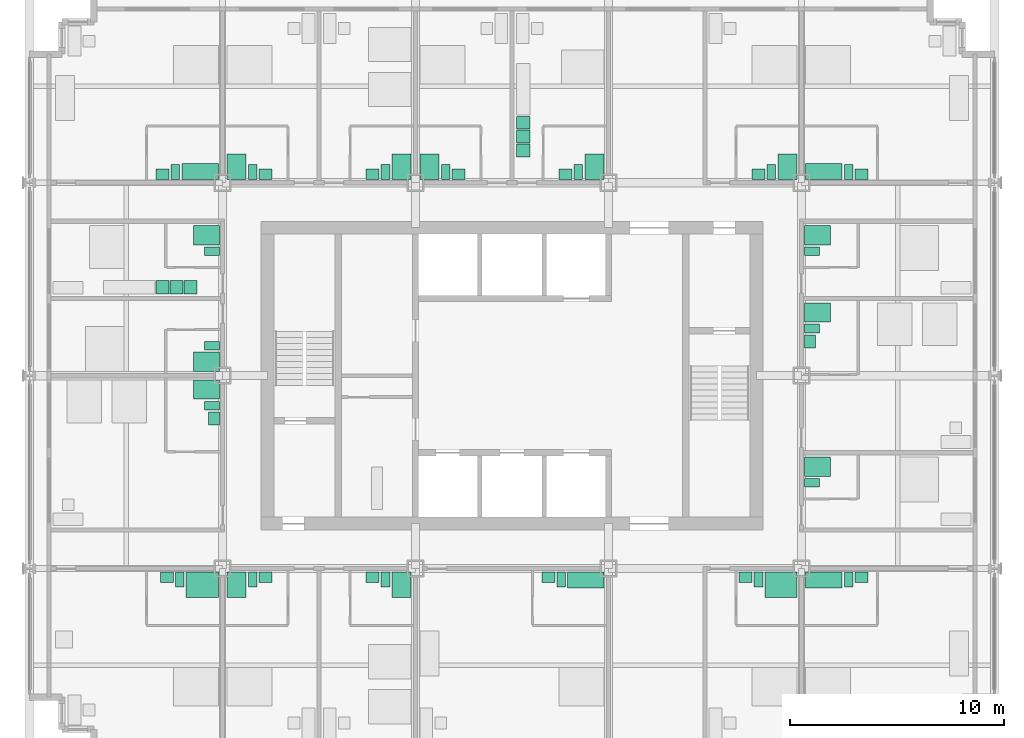
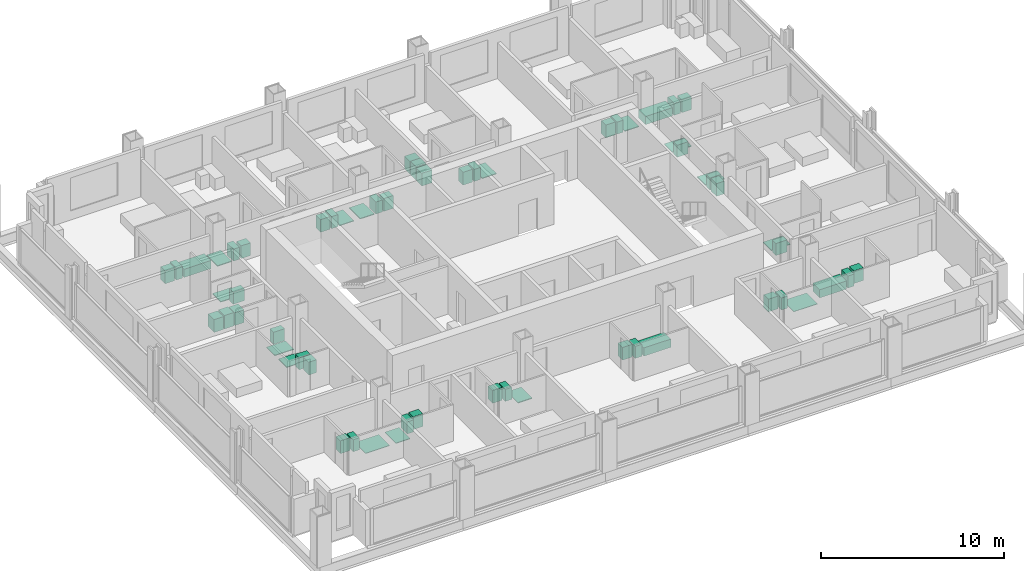
# One storey, part 16 of 17: 53 sanitary terminals, 6 electric appliances.
"""IFC4 building model written with IfcOpenShell, lengths in metres."""

from ifc_helpers import new_model, si_unit, direction, frame, origin, origin_2d, place, context, subcontext, project, spatial, rectangle, extrude, element, save


model = new_model("IFC4")

# Units and contexts
model_context = context("Model", 3, precision=1e-05, world=origin(), true_north=direction((0.0, 1.0)))
body_context = subcontext(model_context, "Body", "Model", "MODEL_VIEW")
ifc_project = project(units=[si_unit("LENGTHUNIT", "METRE"), si_unit("AREAUNIT", "SQUARE_METRE"), si_unit("VOLUMEUNIT", "CUBIC_METRE"), si_unit("PLANEANGLEUNIT", "RADIAN"), si_unit("MASSUNIT", "GRAM", prefix="KILO")], contexts=[model_context])

# Site, building, storey
site_placement = place(None, origin())
site = spatial("IfcSite", under=ifc_project, at=site_placement, CompositionType="ELEMENT")
building_placement = place(site_placement, origin())
building = spatial("IfcBuilding", under=site, at=building_placement, Name="Loomwork Tower", CompositionType="ELEMENT")
storey_placement = place(building_placement, frame((0.0, 0.0, 145.199951171875)))
storey = spatial("IfcBuildingStorey", under=building, at=storey_placement, Name="L39", CompositionType="ELEMENT", Elevation=145.199951171875)

# Sanitary terminals
sanitary_terminal_1_placement = place(storey_placement, frame((8.050048828125, 8.25, 0.0), z_axis=(0.0, 0.0, 1.0), x_axis=(1.0, 0.0, 0.0)))
element("IfcSanitaryTerminal", 1, at=sanitary_terminal_1_placement, inside=storey, Name="Roll-in shower floor L39", PredefinedType="SHOWER", context=body_context, shape_type="SweptSolid", body=[
    extrude(rectangle(XDim=1.5, YDim=1.199951171875, at=origin_2d()), origin(), (0.0, 0.0, 1.0), 0.030029296875),
])
sanitary_terminal_2_placement = place(storey_placement, frame((7.0, 8.5, 0.0), z_axis=(0.0, 0.0, 1.0), x_axis=(1.0, 0.0, 0.0)))
element("IfcSanitaryTerminal", 2, at=sanitary_terminal_2_placement, inside=storey, Name="WC L39", PredefinedType="TOILETPAN", context=body_context, shape_type="SweptSolid", body=[
    extrude(rectangle(XDim=0.39990234375, YDim=0.699951171875, at=origin_2d()), origin(), (0.0, 0.0, 1.0), 0.800048828125),
])
sanitary_terminal_3_placement = place(storey_placement, frame((6.39990234375, 8.60009765625, 0.0), z_axis=(0.0, 0.0, 1.0), x_axis=(1.0, 0.0, 0.0)))
element("IfcSanitaryTerminal", 3, at=sanitary_terminal_3_placement, inside=storey, Name="Basin vanity L39", PredefinedType="WASHHANDBASIN", context=body_context, shape_type="SweptSolid", body=[
    extrude(rectangle(XDim=0.60009765625, YDim=0.5, at=origin_2d()), origin(), (0.0, 0.0, 1.0), 0.85009765625),
])
sanitary_terminal_4_placement = place(storey_placement, frame((9.64990234375, 8.25, 0.0), z_axis=(0.0, 0.0, 1.0), x_axis=(1.0, 0.0, 0.0)))
element("IfcSanitaryTerminal", 4, at=sanitary_terminal_4_placement, inside=storey, Name="Shower tray L39", PredefinedType="SHOWER", context=body_context, shape_type="SweptSolid", body=[
    extrude(rectangle(XDim=0.89990234375, YDim=1.199951171875, at=origin_2d()), origin(), (0.0, 0.0, 1.0), 0.050048828125),
])
sanitary_terminal_5_placement = place(storey_placement, frame((10.39990234375, 8.5, 0.0), z_axis=(0.0, 0.0, 1.0), x_axis=(1.0, 0.0, 0.0)))
element("IfcSanitaryTerminal", 5, at=sanitary_terminal_5_placement, inside=storey, Name="WC L39", PredefinedType="TOILETPAN", context=body_context, shape_type="SweptSolid", body=[
    extrude(rectangle(XDim=0.39990234375, YDim=0.699951171875, at=origin_2d()), origin(), (0.0, 0.0, 1.0), 0.800048828125),
])
sanitary_terminal_6_placement = place(storey_placement, frame((11.0, 8.60009765625, 0.0), z_axis=(0.0, 0.0, 1.0), x_axis=(1.0, 0.0, 0.0)))
element("IfcSanitaryTerminal", 6, at=sanitary_terminal_6_placement, inside=storey, Name="Basin vanity L39", PredefinedType="WASHHANDBASIN", context=body_context, shape_type="SweptSolid", body=[
    extrude(rectangle(XDim=0.60009765625, YDim=0.5, at=origin_2d()), origin(), (0.0, 0.0, 1.0), 0.85009765625),
])
sanitary_terminal_7_placement = place(storey_placement, frame((17.35009765625, 8.25, 0.0), z_axis=(0.0, 0.0, 1.0), x_axis=(1.0, 0.0, 0.0)))
element("IfcSanitaryTerminal", 7, at=sanitary_terminal_7_placement, inside=storey, Name="Shower tray L39", PredefinedType="SHOWER", context=body_context, shape_type="SweptSolid", body=[
    extrude(rectangle(XDim=0.89990234375, YDim=1.199951171875, at=origin_2d()), origin(), (0.0, 0.0, 1.0), 0.050048828125),
])
sanitary_terminal_8_placement = place(storey_placement, frame((16.60009765625, 8.5, 0.0), z_axis=(0.0, 0.0, 1.0), x_axis=(1.0, 0.0, 0.0)))
element("IfcSanitaryTerminal", 8, at=sanitary_terminal_8_placement, inside=storey, Name="WC L39", PredefinedType="TOILETPAN", context=body_context, shape_type="SweptSolid", body=[
    extrude(rectangle(XDim=0.39990234375, YDim=0.699951171875, at=origin_2d()), origin(), (0.0, 0.0, 1.0), 0.800048828125),
])
sanitary_terminal_9_placement = place(storey_placement, frame((16.0, 8.60009765625, 0.0), z_axis=(0.0, 0.0, 1.0), x_axis=(1.0, 0.0, 0.0)))
element("IfcSanitaryTerminal", 9, at=sanitary_terminal_9_placement, inside=storey, Name="Basin vanity L39", PredefinedType="WASHHANDBASIN", context=body_context, shape_type="SweptSolid", body=[
    extrude(rectangle(XDim=0.60009765625, YDim=0.5, at=origin_2d()), origin(), (0.0, 0.0, 1.0), 0.85009765625),
])
sanitary_terminal_10_placement = place(storey_placement, frame((25.949951171875, 8.47509765625, 0.0), z_axis=(0.0, 0.0, 1.0), x_axis=(1.0, 0.0, 0.0)))
element("IfcSanitaryTerminal", 10, at=sanitary_terminal_10_placement, inside=storey, Name="Bath L39", PredefinedType="BATH", context=body_context, shape_type="SweptSolid", body=[
    extrude(rectangle(XDim=1.699951171875, YDim=0.75, at=origin_2d()), origin(), (0.0, 0.0, 1.0), 0.550048828125),
])
sanitary_terminal_11_placement = place(storey_placement, frame((24.800048828125, 8.5, 0.0), z_axis=(0.0, 0.0, 1.0), x_axis=(1.0, 0.0, 0.0)))
element("IfcSanitaryTerminal", 11, at=sanitary_terminal_11_placement, inside=storey, Name="WC L39", PredefinedType="TOILETPAN", context=body_context, shape_type="SweptSolid", body=[
    extrude(rectangle(XDim=0.39990234375, YDim=0.699951171875, at=origin_2d()), origin(), (0.0, 0.0, 1.0), 0.800048828125),
])
sanitary_terminal_12_placement = place(storey_placement, frame((24.199951171875, 8.60009765625, 0.0), z_axis=(0.0, 0.0, 1.0), x_axis=(1.0, 0.0, 0.0)))
element("IfcSanitaryTerminal", 12, at=sanitary_terminal_12_placement, inside=storey, Name="Basin vanity L39", PredefinedType="WASHHANDBASIN", context=body_context, shape_type="SweptSolid", body=[
    extrude(rectangle(XDim=0.60009765625, YDim=0.5, at=origin_2d()), origin(), (0.0, 0.0, 1.0), 0.85009765625),
])
sanitary_terminal_13_placement = place(storey_placement, frame((35.050048828125, 8.25, 0.0), z_axis=(0.0, 0.0, 1.0), x_axis=(1.0, 0.0, 0.0)))
element("IfcSanitaryTerminal", 13, at=sanitary_terminal_13_placement, inside=storey, Name="Roll-in shower floor L39", PredefinedType="SHOWER", context=body_context, shape_type="SweptSolid", body=[
    extrude(rectangle(XDim=1.5, YDim=1.199951171875, at=origin_2d()), origin(), (0.0, 0.0, 1.0), 0.030029296875),
])
sanitary_terminal_14_placement = place(storey_placement, frame((34.0, 8.5, 0.0), z_axis=(0.0, 0.0, 1.0), x_axis=(1.0, 0.0, 0.0)))
element("IfcSanitaryTerminal", 14, at=sanitary_terminal_14_placement, inside=storey, Name="WC L39", PredefinedType="TOILETPAN", context=body_context, shape_type="SweptSolid", body=[
    extrude(rectangle(XDim=0.39990234375, YDim=0.699951171875, at=origin_2d()), origin(), (0.0, 0.0, 1.0), 0.800048828125),
])
sanitary_terminal_15_placement = place(storey_placement, frame((33.39990234375, 8.60009765625, 0.0), z_axis=(0.0, 0.0, 1.0), x_axis=(1.0, 0.0, 0.0)))
element("IfcSanitaryTerminal", 15, at=sanitary_terminal_15_placement, inside=storey, Name="Basin vanity L39", PredefinedType="WASHHANDBASIN", context=body_context, shape_type="SweptSolid", body=[
    extrude(rectangle(XDim=0.60009765625, YDim=0.5, at=origin_2d()), origin(), (0.0, 0.0, 1.0), 0.85009765625),
])
sanitary_terminal_16_placement = place(storey_placement, frame((37.050048828125, 8.47509765625, 0.0), z_axis=(0.0, 0.0, 1.0), x_axis=(1.0, 0.0, 0.0)))
element("IfcSanitaryTerminal", 16, at=sanitary_terminal_16_placement, inside=storey, Name="Bath L39", PredefinedType="BATH", context=body_context, shape_type="SweptSolid", body=[
    extrude(rectangle(XDim=1.699951171875, YDim=0.75, at=origin_2d()), origin(), (0.0, 0.0, 1.0), 0.550048828125),
])
sanitary_terminal_17_placement = place(storey_placement, frame((38.199951171875, 8.5, 0.0), z_axis=(0.0, 0.0, 1.0), x_axis=(1.0, 0.0, 0.0)))
element("IfcSanitaryTerminal", 17, at=sanitary_terminal_17_placement, inside=storey, Name="WC L39", PredefinedType="TOILETPAN", context=body_context, shape_type="SweptSolid", body=[
    extrude(rectangle(XDim=0.39990234375, YDim=0.699951171875, at=origin_2d()), origin(), (0.0, 0.0, 1.0), 0.800048828125),
])
sanitary_terminal_18_placement = place(storey_placement, frame((38.800048828125, 8.60009765625, 0.0), z_axis=(0.0, 0.0, 1.0), x_axis=(1.0, 0.0, 0.0)))
element("IfcSanitaryTerminal", 18, at=sanitary_terminal_18_placement, inside=storey, Name="Basin vanity L39", PredefinedType="WASHHANDBASIN", context=body_context, shape_type="SweptSolid", body=[
    extrude(rectangle(XDim=0.60009765625, YDim=0.5, at=origin_2d()), origin(), (0.0, 0.0, 1.0), 0.85009765625),
])
sanitary_terminal_19_placement = place(storey_placement, frame((7.949951171875, 27.52490234375, 0.0), z_axis=(0.0, 0.0, 1.0), x_axis=(1.0, 0.0, 0.0)))
element("IfcSanitaryTerminal", 19, at=sanitary_terminal_19_placement, inside=storey, Name="Bath L39", PredefinedType="BATH", context=body_context, shape_type="SweptSolid", body=[
    extrude(rectangle(XDim=1.699951171875, YDim=0.75, at=origin_2d()), origin(), (0.0, 0.0, 1.0), 0.550048828125),
])
sanitary_terminal_20_placement = place(storey_placement, frame((6.800048828125, 27.5, 0.0), z_axis=(0.0, 0.0, 1.0), x_axis=(1.0, 0.0, 0.0)))
element("IfcSanitaryTerminal", 20, at=sanitary_terminal_20_placement, inside=storey, Name="WC L39", PredefinedType="TOILETPAN", context=body_context, shape_type="SweptSolid", body=[
    extrude(rectangle(XDim=0.39990234375, YDim=0.699951171875, at=origin_2d()), origin(), (0.0, 0.0, 1.0), 0.800048828125),
])
sanitary_terminal_21_placement = place(storey_placement, frame((6.199951171875, 27.39990234375, 0.0), z_axis=(0.0, 0.0, 1.0), x_axis=(1.0, 0.0, 0.0)))
element("IfcSanitaryTerminal", 21, at=sanitary_terminal_21_placement, inside=storey, Name="Basin vanity L39", PredefinedType="WASHHANDBASIN", context=body_context, shape_type="SweptSolid", body=[
    extrude(rectangle(XDim=0.60009765625, YDim=0.5, at=origin_2d()), origin(), (0.0, 0.0, 1.0), 0.85009765625),
])
sanitary_terminal_22_placement = place(storey_placement, frame((9.64990234375, 27.75, 0.0), z_axis=(0.0, 0.0, 1.0), x_axis=(1.0, 0.0, 0.0)))
element("IfcSanitaryTerminal", 22, at=sanitary_terminal_22_placement, inside=storey, Name="Shower tray L39", PredefinedType="SHOWER", context=body_context, shape_type="SweptSolid", body=[
    extrude(rectangle(XDim=0.89990234375, YDim=1.199951171875, at=origin_2d()), origin(), (0.0, 0.0, 1.0), 0.050048828125),
])
sanitary_terminal_23_placement = place(storey_placement, frame((10.39990234375, 27.5, 0.0), z_axis=(0.0, 0.0, 1.0), x_axis=(1.0, 0.0, 0.0)))
element("IfcSanitaryTerminal", 23, at=sanitary_terminal_23_placement, inside=storey, Name="WC L39", PredefinedType="TOILETPAN", context=body_context, shape_type="SweptSolid", body=[
    extrude(rectangle(XDim=0.39990234375, YDim=0.699951171875, at=origin_2d()), origin(), (0.0, 0.0, 1.0), 0.800048828125),
])
sanitary_terminal_24_placement = place(storey_placement, frame((11.0, 27.39990234375, 0.0), z_axis=(0.0, 0.0, 1.0), x_axis=(1.0, 0.0, 0.0)))
element("IfcSanitaryTerminal", 24, at=sanitary_terminal_24_placement, inside=storey, Name="Basin vanity L39", PredefinedType="WASHHANDBASIN", context=body_context, shape_type="SweptSolid", body=[
    extrude(rectangle(XDim=0.60009765625, YDim=0.5, at=origin_2d()), origin(), (0.0, 0.0, 1.0), 0.85009765625),
])
sanitary_terminal_25_placement = place(storey_placement, frame((17.35009765625, 27.75, 0.0), z_axis=(0.0, 0.0, 1.0), x_axis=(1.0, 0.0, 0.0)))
element("IfcSanitaryTerminal", 25, at=sanitary_terminal_25_placement, inside=storey, Name="Shower tray L39", PredefinedType="SHOWER", context=body_context, shape_type="SweptSolid", body=[
    extrude(rectangle(XDim=0.89990234375, YDim=1.199951171875, at=origin_2d()), origin(), (0.0, 0.0, 1.0), 0.050048828125),
])
sanitary_terminal_26_placement = place(storey_placement, frame((16.60009765625, 27.5, 0.0), z_axis=(0.0, 0.0, 1.0), x_axis=(1.0, 0.0, 0.0)))
element("IfcSanitaryTerminal", 26, at=sanitary_terminal_26_placement, inside=storey, Name="WC L39", PredefinedType="TOILETPAN", context=body_context, shape_type="SweptSolid", body=[
    extrude(rectangle(XDim=0.39990234375, YDim=0.699951171875, at=origin_2d()), origin(), (0.0, 0.0, 1.0), 0.800048828125),
])
sanitary_terminal_27_placement = place(storey_placement, frame((16.0, 27.39990234375, 0.0), z_axis=(0.0, 0.0, 1.0), x_axis=(1.0, 0.0, 0.0)))
element("IfcSanitaryTerminal", 27, at=sanitary_terminal_27_placement, inside=storey, Name="Basin vanity L39", PredefinedType="WASHHANDBASIN", context=body_context, shape_type="SweptSolid", body=[
    extrude(rectangle(XDim=0.60009765625, YDim=0.5, at=origin_2d()), origin(), (0.0, 0.0, 1.0), 0.85009765625),
])
sanitary_terminal_28_placement = place(storey_placement, frame((18.64990234375, 27.75, 0.0), z_axis=(0.0, 0.0, 1.0), x_axis=(1.0, 0.0, 0.0)))
element("IfcSanitaryTerminal", 28, at=sanitary_terminal_28_placement, inside=storey, Name="Shower tray L39", PredefinedType="SHOWER", context=body_context, shape_type="SweptSolid", body=[
    extrude(rectangle(XDim=0.89990234375, YDim=1.199951171875, at=origin_2d()), origin(), (0.0, 0.0, 1.0), 0.050048828125),
])
sanitary_terminal_29_placement = place(storey_placement, frame((19.39990234375, 27.5, 0.0), z_axis=(0.0, 0.0, 1.0), x_axis=(1.0, 0.0, 0.0)))
element("IfcSanitaryTerminal", 29, at=sanitary_terminal_29_placement, inside=storey, Name="WC L39", PredefinedType="TOILETPAN", context=body_context, shape_type="SweptSolid", body=[
    extrude(rectangle(XDim=0.39990234375, YDim=0.699951171875, at=origin_2d()), origin(), (0.0, 0.0, 1.0), 0.800048828125),
])
sanitary_terminal_30_placement = place(storey_placement, frame((20.0, 27.39990234375, 0.0), z_axis=(0.0, 0.0, 1.0), x_axis=(1.0, 0.0, 0.0)))
element("IfcSanitaryTerminal", 30, at=sanitary_terminal_30_placement, inside=storey, Name="Basin vanity L39", PredefinedType="WASHHANDBASIN", context=body_context, shape_type="SweptSolid", body=[
    extrude(rectangle(XDim=0.60009765625, YDim=0.5, at=origin_2d()), origin(), (0.0, 0.0, 1.0), 0.85009765625),
])
sanitary_terminal_31_placement = place(storey_placement, frame((26.35009765625, 27.75, 0.0), z_axis=(0.0, 0.0, 1.0), x_axis=(1.0, 0.0, 0.0)))
element("IfcSanitaryTerminal", 31, at=sanitary_terminal_31_placement, inside=storey, Name="Shower tray L39", PredefinedType="SHOWER", context=body_context, shape_type="SweptSolid", body=[
    extrude(rectangle(XDim=0.89990234375, YDim=1.199951171875, at=origin_2d()), origin(), (0.0, 0.0, 1.0), 0.050048828125),
])
sanitary_terminal_32_placement = place(storey_placement, frame((25.60009765625, 27.5, 0.0), z_axis=(0.0, 0.0, 1.0), x_axis=(1.0, 0.0, 0.0)))
element("IfcSanitaryTerminal", 32, at=sanitary_terminal_32_placement, inside=storey, Name="WC L39", PredefinedType="TOILETPAN", context=body_context, shape_type="SweptSolid", body=[
    extrude(rectangle(XDim=0.39990234375, YDim=0.699951171875, at=origin_2d()), origin(), (0.0, 0.0, 1.0), 0.800048828125),
])
sanitary_terminal_33_placement = place(storey_placement, frame((25.0, 27.39990234375, 0.0), z_axis=(0.0, 0.0, 1.0), x_axis=(1.0, 0.0, 0.0)))
element("IfcSanitaryTerminal", 33, at=sanitary_terminal_33_placement, inside=storey, Name="Basin vanity L39", PredefinedType="WASHHANDBASIN", context=body_context, shape_type="SweptSolid", body=[
    extrude(rectangle(XDim=0.60009765625, YDim=0.5, at=origin_2d()), origin(), (0.0, 0.0, 1.0), 0.85009765625),
])

# Electric appliances
electric_appliance_1_placement = place(storey_placement, frame((23.02490234375, 28.5, 0.0), z_axis=(0.0, 0.0, 1.0), x_axis=(1.0, 0.0, 0.0)))
element("IfcElectricAppliance", 34, at=electric_appliance_1_placement, inside=storey, Name="Refrigerator L39", PredefinedType="REFRIGERATOR", context=body_context, shape_type="SweptSolid", body=[
    extrude(rectangle(XDim=0.64990234375, YDim=0.60009765625, at=origin_2d()), origin(), (0.0, 0.0, 1.0), 0.85009765625),
])
electric_appliance_2_placement = place(storey_placement, frame((23.02490234375, 29.14990234375, 0.0), z_axis=(0.0, 0.0, 1.0), x_axis=(1.0, 0.0, 0.0)))
element("IfcElectricAppliance", 35, at=electric_appliance_2_placement, inside=storey, Name="Two-ring cooktop and oven L39", PredefinedType="ELECTRICCOOKER", context=body_context, shape_type="SweptSolid", body=[
    extrude(rectangle(XDim=0.64990234375, YDim=0.60009765625, at=origin_2d()), origin(), (0.0, 0.0, 1.0), 0.89990234375),
])
electric_appliance_3_placement = place(storey_placement, frame((23.02490234375, 29.800048828125, 0.0), z_axis=(0.0, 0.0, 1.0), x_axis=(1.0, 0.0, 0.0)))
element("IfcElectricAppliance", 36, at=electric_appliance_3_placement, inside=storey, Name="Dishwasher L39", PredefinedType="DISHWASHER", context=body_context, shape_type="SweptSolid", body=[
    extrude(rectangle(XDim=0.64990234375, YDim=0.60009765625, at=origin_2d()), origin(), (0.0, 0.0, 1.0), 0.85009765625),
])

# Sanitary terminals
sanitary_terminal_34_placement = place(storey_placement, frame((35.35009765625, 27.75, 0.0), z_axis=(0.0, 0.0, 1.0), x_axis=(1.0, 0.0, 0.0)))
element("IfcSanitaryTerminal", 37, at=sanitary_terminal_34_placement, inside=storey, Name="Shower tray L39", PredefinedType="SHOWER", context=body_context, shape_type="SweptSolid", body=[
    extrude(rectangle(XDim=0.89990234375, YDim=1.199951171875, at=origin_2d()), origin(), (0.0, 0.0, 1.0), 0.050048828125),
])
sanitary_terminal_35_placement = place(storey_placement, frame((34.60009765625, 27.5, 0.0), z_axis=(0.0, 0.0, 1.0), x_axis=(1.0, 0.0, 0.0)))
element("IfcSanitaryTerminal", 38, at=sanitary_terminal_35_placement, inside=storey, Name="WC L39", PredefinedType="TOILETPAN", context=body_context, shape_type="SweptSolid", body=[
    extrude(rectangle(XDim=0.39990234375, YDim=0.699951171875, at=origin_2d()), origin(), (0.0, 0.0, 1.0), 0.800048828125),
])
sanitary_terminal_36_placement = place(storey_placement, frame((34.0, 27.39990234375, 0.0), z_axis=(0.0, 0.0, 1.0), x_axis=(1.0, 0.0, 0.0)))
element("IfcSanitaryTerminal", 39, at=sanitary_terminal_36_placement, inside=storey, Name="Basin vanity L39", PredefinedType="WASHHANDBASIN", context=body_context, shape_type="SweptSolid", body=[
    extrude(rectangle(XDim=0.60009765625, YDim=0.5, at=origin_2d()), origin(), (0.0, 0.0, 1.0), 0.85009765625),
])
sanitary_terminal_37_placement = place(storey_placement, frame((37.050048828125, 27.52490234375, 0.0), z_axis=(0.0, 0.0, 1.0), x_axis=(1.0, 0.0, 0.0)))
element("IfcSanitaryTerminal", 40, at=sanitary_terminal_37_placement, inside=storey, Name="Bath L39", PredefinedType="BATH", context=body_context, shape_type="SweptSolid", body=[
    extrude(rectangle(XDim=1.699951171875, YDim=0.75, at=origin_2d()), origin(), (0.0, 0.0, 1.0), 0.550048828125),
])
sanitary_terminal_38_placement = place(storey_placement, frame((38.199951171875, 27.5, 0.0), z_axis=(0.0, 0.0, 1.0), x_axis=(1.0, 0.0, 0.0)))
element("IfcSanitaryTerminal", 41, at=sanitary_terminal_38_placement, inside=storey, Name="WC L39", PredefinedType="TOILETPAN", context=body_context, shape_type="SweptSolid", body=[
    extrude(rectangle(XDim=0.39990234375, YDim=0.699951171875, at=origin_2d()), origin(), (0.0, 0.0, 1.0), 0.800048828125),
])
sanitary_terminal_39_placement = place(storey_placement, frame((38.800048828125, 27.39990234375, 0.0), z_axis=(0.0, 0.0, 1.0), x_axis=(1.0, 0.0, 0.0)))
element("IfcSanitaryTerminal", 42, at=sanitary_terminal_39_placement, inside=storey, Name="Basin vanity L39", PredefinedType="WASHHANDBASIN", context=body_context, shape_type="SweptSolid", body=[
    extrude(rectangle(XDim=0.60009765625, YDim=0.5, at=origin_2d()), origin(), (0.0, 0.0, 1.0), 0.85009765625),
])
sanitary_terminal_40_placement = place(storey_placement, frame((8.25, 17.35009765625, 0.0), z_axis=(0.0, 0.0, 1.0), x_axis=(1.0, 0.0, 0.0)))
element("IfcSanitaryTerminal", 43, at=sanitary_terminal_40_placement, inside=storey, Name="Shower tray L39", PredefinedType="SHOWER", context=body_context, shape_type="SweptSolid", body=[
    extrude(rectangle(XDim=1.199951171875, YDim=0.89990234375, at=origin_2d()), origin(), (0.0, 0.0, 1.0), 0.050048828125),
])
sanitary_terminal_41_placement = place(storey_placement, frame((8.5, 16.60009765625, 0.0), z_axis=(0.0, 0.0, 1.0), x_axis=(1.0, 0.0, 0.0)))
element("IfcSanitaryTerminal", 44, at=sanitary_terminal_41_placement, inside=storey, Name="WC L39", PredefinedType="TOILETPAN", context=body_context, shape_type="SweptSolid", body=[
    extrude(rectangle(XDim=0.699951171875, YDim=0.39990234375, at=origin_2d()), origin(), (0.0, 0.0, 1.0), 0.800048828125),
])
sanitary_terminal_42_placement = place(storey_placement, frame((8.60009765625, 16.0, 0.0), z_axis=(0.0, 0.0, 1.0), x_axis=(1.0, 0.0, 0.0)))
element("IfcSanitaryTerminal", 45, at=sanitary_terminal_42_placement, inside=storey, Name="Basin vanity L39", PredefinedType="WASHHANDBASIN", context=body_context, shape_type="SweptSolid", body=[
    extrude(rectangle(XDim=0.5, YDim=0.60009765625, at=origin_2d()), origin(), (0.0, 0.0, 1.0), 0.85009765625),
])
sanitary_terminal_43_placement = place(storey_placement, frame((8.25, 18.64990234375, 0.0), z_axis=(0.0, 0.0, 1.0), x_axis=(1.0, 0.0, 0.0)))
element("IfcSanitaryTerminal", 46, at=sanitary_terminal_43_placement, inside=storey, Name="Shower tray L39", PredefinedType="SHOWER", context=body_context, shape_type="SweptSolid", body=[
    extrude(rectangle(XDim=1.199951171875, YDim=0.89990234375, at=origin_2d()), origin(), (0.0, 0.0, 1.0), 0.050048828125),
])
sanitary_terminal_44_placement = place(storey_placement, frame((8.5, 19.39990234375, 0.0), z_axis=(0.0, 0.0, 1.0), x_axis=(1.0, 0.0, 0.0)))
element("IfcSanitaryTerminal", 47, at=sanitary_terminal_44_placement, inside=storey, Name="WC L39", PredefinedType="TOILETPAN", context=body_context, shape_type="SweptSolid", body=[
    extrude(rectangle(XDim=0.699951171875, YDim=0.39990234375, at=origin_2d()), origin(), (0.0, 0.0, 1.0), 0.800048828125),
])
sanitary_terminal_45_placement = place(storey_placement, frame((8.25, 24.550048828125, 0.0), z_axis=(0.0, 0.0, 1.0), x_axis=(1.0, 0.0, 0.0)))
element("IfcSanitaryTerminal", 48, at=sanitary_terminal_45_placement, inside=storey, Name="Shower tray L39", PredefinedType="SHOWER", context=body_context, shape_type="SweptSolid", body=[
    extrude(rectangle(XDim=1.199951171875, YDim=0.89990234375, at=origin_2d()), origin(), (0.0, 0.0, 1.0), 0.050048828125),
])
sanitary_terminal_46_placement = place(storey_placement, frame((8.5, 23.800048828125, 0.0), z_axis=(0.0, 0.0, 1.0), x_axis=(1.0, 0.0, 0.0)))
element("IfcSanitaryTerminal", 49, at=sanitary_terminal_46_placement, inside=storey, Name="WC L39", PredefinedType="TOILETPAN", context=body_context, shape_type="SweptSolid", body=[
    extrude(rectangle(XDim=0.699951171875, YDim=0.39990234375, at=origin_2d()), origin(), (0.0, 0.0, 1.0), 0.800048828125),
])

# Electric appliances
electric_appliance_4_placement = place(storey_placement, frame((7.5, 22.125, 0.0), z_axis=(0.0, 0.0, 1.0), x_axis=(1.0, 0.0, 0.0)))
element("IfcElectricAppliance", 50, at=electric_appliance_4_placement, inside=storey, Name="Refrigerator L39", PredefinedType="REFRIGERATOR", context=body_context, shape_type="SweptSolid", body=[
    extrude(rectangle(XDim=0.60009765625, YDim=0.64990234375, at=origin_2d()), origin(), (0.0, 0.0, 1.0), 0.85009765625),
])
electric_appliance_5_placement = place(storey_placement, frame((6.85009765625, 22.125, 0.0), z_axis=(0.0, 0.0, 1.0), x_axis=(1.0, 0.0, 0.0)))
element("IfcElectricAppliance", 51, at=electric_appliance_5_placement, inside=storey, Name="Two-ring cooktop and oven L39", PredefinedType="ELECTRICCOOKER", context=body_context, shape_type="SweptSolid", body=[
    extrude(rectangle(XDim=0.60009765625, YDim=0.64990234375, at=origin_2d()), origin(), (0.0, 0.0, 1.0), 0.89990234375),
])
electric_appliance_6_placement = place(storey_placement, frame((6.199951171875, 22.125, 0.0), z_axis=(0.0, 0.0, 1.0), x_axis=(1.0, 0.0, 0.0)))
element("IfcElectricAppliance", 52, at=electric_appliance_6_placement, inside=storey, Name="Dishwasher L39", PredefinedType="DISHWASHER", context=body_context, shape_type="SweptSolid", body=[
    extrude(rectangle(XDim=0.60009765625, YDim=0.64990234375, at=origin_2d()), origin(), (0.0, 0.0, 1.0), 0.85009765625),
])

# Sanitary terminals
sanitary_terminal_47_placement = place(storey_placement, frame((36.75, 13.75, 0.0), z_axis=(0.0, 0.0, 1.0), x_axis=(1.0, 0.0, 0.0)))
element("IfcSanitaryTerminal", 53, at=sanitary_terminal_47_placement, inside=storey, Name="Shower tray L39", PredefinedType="SHOWER", context=body_context, shape_type="SweptSolid", body=[
    extrude(rectangle(XDim=1.199951171875, YDim=0.89990234375, at=origin_2d()), origin(), (0.0, 0.0, 1.0), 0.050048828125),
])
sanitary_terminal_48_placement = place(storey_placement, frame((36.5, 13.0, 0.0), z_axis=(0.0, 0.0, 1.0), x_axis=(1.0, 0.0, 0.0)))
element("IfcSanitaryTerminal", 54, at=sanitary_terminal_48_placement, inside=storey, Name="WC L39", PredefinedType="TOILETPAN", context=body_context, shape_type="SweptSolid", body=[
    extrude(rectangle(XDim=0.699951171875, YDim=0.39990234375, at=origin_2d()), origin(), (0.0, 0.0, 1.0), 0.800048828125),
])
sanitary_terminal_49_placement = place(storey_placement, frame((36.75, 20.949951171875, 0.0), z_axis=(0.0, 0.0, 1.0), x_axis=(1.0, 0.0, 0.0)))
element("IfcSanitaryTerminal", 55, at=sanitary_terminal_49_placement, inside=storey, Name="Shower tray L39", PredefinedType="SHOWER", context=body_context, shape_type="SweptSolid", body=[
    extrude(rectangle(XDim=1.199951171875, YDim=0.89990234375, at=origin_2d()), origin(), (0.0, 0.0, 1.0), 0.050048828125),
])
sanitary_terminal_50_placement = place(storey_placement, frame((36.5, 20.199951171875, 0.0), z_axis=(0.0, 0.0, 1.0), x_axis=(1.0, 0.0, 0.0)))
element("IfcSanitaryTerminal", 56, at=sanitary_terminal_50_placement, inside=storey, Name="WC L39", PredefinedType="TOILETPAN", context=body_context, shape_type="SweptSolid", body=[
    extrude(rectangle(XDim=0.699951171875, YDim=0.39990234375, at=origin_2d()), origin(), (0.0, 0.0, 1.0), 0.800048828125),
])
sanitary_terminal_51_placement = place(storey_placement, frame((36.39990234375, 19.60009765625, 0.0), z_axis=(0.0, 0.0, 1.0), x_axis=(1.0, 0.0, 0.0)))
element("IfcSanitaryTerminal", 57, at=sanitary_terminal_51_placement, inside=storey, Name="Basin vanity L39", PredefinedType="WASHHANDBASIN", context=body_context, shape_type="SweptSolid", body=[
    extrude(rectangle(XDim=0.5, YDim=0.60009765625, at=origin_2d()), origin(), (0.0, 0.0, 1.0), 0.85009765625),
])
sanitary_terminal_52_placement = place(storey_placement, frame((36.75, 24.550048828125, 0.0), z_axis=(0.0, 0.0, 1.0), x_axis=(1.0, 0.0, 0.0)))
element("IfcSanitaryTerminal", 58, at=sanitary_terminal_52_placement, inside=storey, Name="Shower tray L39", PredefinedType="SHOWER", context=body_context, shape_type="SweptSolid", body=[
    extrude(rectangle(XDim=1.199951171875, YDim=0.89990234375, at=origin_2d()), origin(), (0.0, 0.0, 1.0), 0.050048828125),
])
sanitary_terminal_53_placement = place(storey_placement, frame((36.5, 23.800048828125, 0.0), z_axis=(0.0, 0.0, 1.0), x_axis=(1.0, 0.0, 0.0)))
element("IfcSanitaryTerminal", 59, at=sanitary_terminal_53_placement, inside=storey, Name="WC L39", PredefinedType="TOILETPAN", context=body_context, shape_type="SweptSolid", body=[
    extrude(rectangle(XDim=0.699951171875, YDim=0.39990234375, at=origin_2d()), origin(), (0.0, 0.0, 1.0), 0.800048828125),
])

save(model, "model.ifc")
